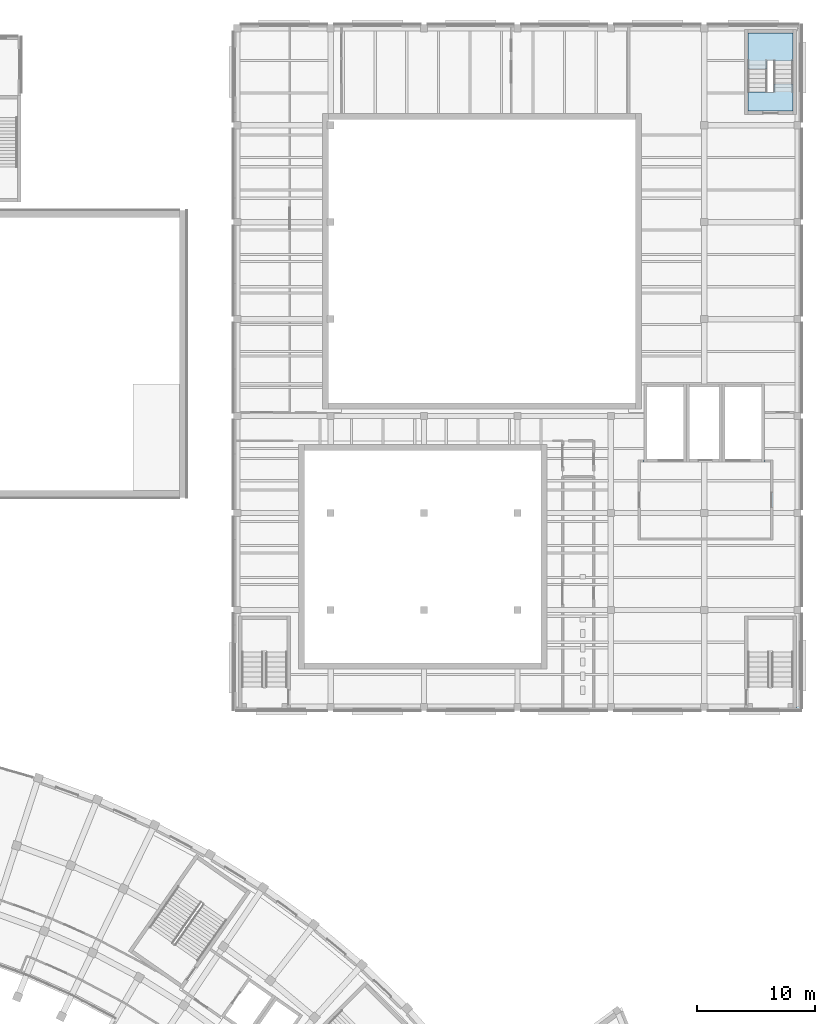
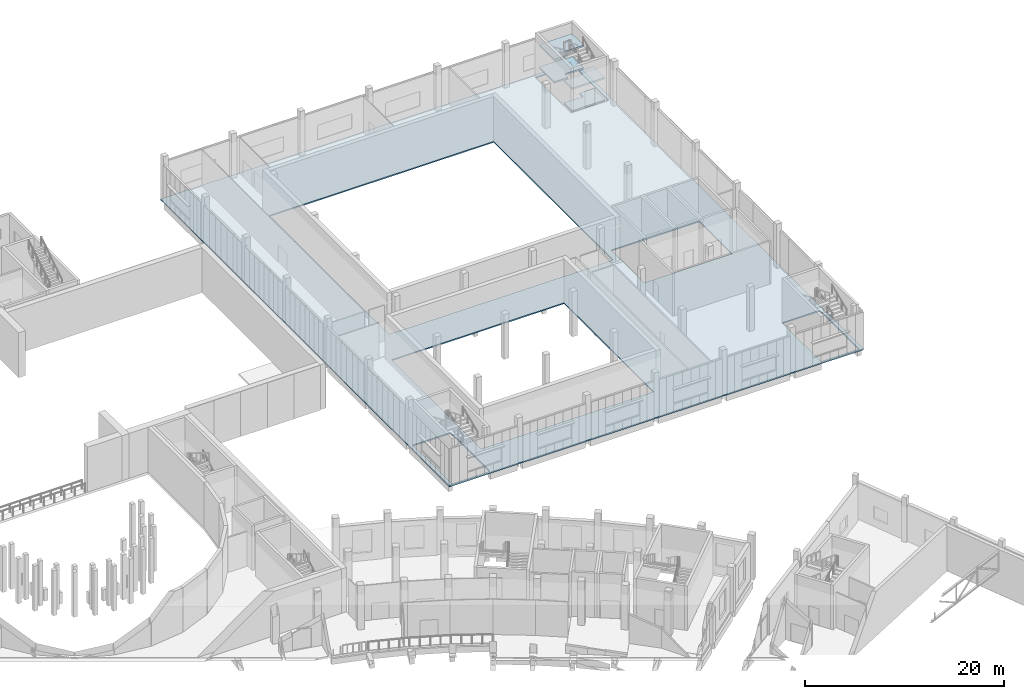
# One storey, part 52 of 112: 5 slabs, 1 element without a shape of its own.
"""IFC4 building model written with IfcOpenShell, lengths in metres."""

from ifc_helpers import new_model, si_unit, direction, frame, origin, place, context, subcontext, project, spatial, polyline, outline, extrude, material, layer, layer_set, type_object, element, aggregate, save


model = new_model("IFC4")

# Units and contexts
model_context = context("Model", 3, precision=1e-05, world=origin(), true_north=direction((0.0, 1.0)))
body_context = subcontext(model_context, "Body", "Model", "MODEL_VIEW")
ifc_project = project(units=[si_unit("LENGTHUNIT", "METRE"), si_unit("AREAUNIT", "SQUARE_METRE"), si_unit("VOLUMEUNIT", "CUBIC_METRE"), si_unit("PLANEANGLEUNIT", "RADIAN"), si_unit("MASSUNIT", "GRAM", prefix="KILO")], contexts=[model_context])

# Site, building, storey
site_placement = place(None, origin())
site = spatial("IfcSite", under=ifc_project, at=site_placement, CompositionType="ELEMENT")
building_placement = place(site_placement, origin())
building = spatial("IfcBuilding", under=site, at=building_placement, Name="Lunette Opera House", CompositionType="ELEMENT")
storey_placement = place(building_placement, frame((0.0, 0.0, 6.0)))
storey = spatial("IfcBuildingStorey", under=building, at=storey_placement, Name="L01", CompositionType="ELEMENT", Elevation=6.0)

# Slabs
ifc_material_1 = material(Name="Concrete C35/45", Category="concrete")
ifc_layer_1 = layer(ifc_material_1, 0.199951171875)
ifc_layer_set_1 = layer_set([ifc_layer_1], Name="Concrete C35/45")
slab_type_1 = type_object("IfcSlabType", Name="CORE LANDING SLAB 200", PredefinedType="LANDING", material=ifc_layer_set_1)
slab_1_placement = place(storey_placement, frame((0.0, 0.0, -0.199951171875)))
element("IfcSlab", 1, at=slab_1_placement, inside=storey, type_object=slab_type_1, Name="ST19 floor landing", PredefinedType="LANDING", context=body_context, shape_type="SweptSolid", body=[
    extrude(outline(polyline([(179.5, 128.699951171875), (179.5, 130.31005859375), (181.10009765625, 130.31005859375), (181.10009765625, 130.300048828125), (181.699951171875, 130.300048828125), (181.699951171875, 131.0), (183.300048828125, 131.0), (183.300048828125, 128.699951171875), (179.5, 128.699951171875)])), origin(), (0.0, 0.0, 1.0), 0.199951171875),
])
ifc_material_2 = material(Name="Concrete C35/45", Category="concrete")
ifc_layer_2 = layer(ifc_material_2, 0.14990234375)
ifc_layer_set_2 = layer_set([ifc_layer_2], Name="Concrete C35/45")
slab_type_2 = type_object("IfcSlabType", Name="FLOOR SLAB 150", PredefinedType="FLOOR", material=ifc_layer_set_2)
slab_2_placement = place(storey_placement, frame((0.0, 0.0, -0.14990234375)))
element("IfcSlab", 2, at=slab_2_placement, inside=storey, type_object=slab_type_2, Name="slab-WW-L01-F1", PredefinedType="FLOOR", context=body_context, shape_type="SweptSolid", body=[
    extrude(outline(polyline([(136.0, 136.0), (136.0, 78.0), (184.0, 78.0), (184.0, 136.0), (136.0, 136.0)]), holes=[polyline([(162.0, 100.0), (162.0, 82.0), (142.0, 82.0), (142.0, 100.0), (162.0, 100.0)]), polyline([(170.0, 128.0), (170.0, 104.0), (144.0, 104.0), (144.0, 128.0), (170.0, 128.0)]), polyline([(136.39990234375, 78.199951171875), (136.39990234375, 86.0), (140.800048828125, 86.0), (140.800048828125, 78.199951171875), (136.39990234375, 78.199951171875)]), polyline([(179.199951171875, 86.0), (183.60009765625, 86.0), (183.60009765625, 78.199951171875), (179.199951171875, 78.199951171875), (179.199951171875, 86.0)]), polyline([(170.699951171875, 105.60009765625), (174.300048828125, 105.60009765625), (177.300048828125, 105.60009765625), (180.89990234375, 105.60009765625), (180.89990234375, 99.0), (177.300048828125, 99.0), (174.300048828125, 99.0), (170.699951171875, 99.0), (170.699951171875, 105.60009765625)]), polyline([(179.199951171875, 135.60009765625), (183.60009765625, 135.60009765625), (183.60009765625, 128.39990234375), (179.199951171875, 128.39990234375), (179.199951171875, 135.60009765625)])]), origin(), (0.0, 0.0, 1.0), 0.14990234375),
])

# Stair, slabs
ifc_material_3 = material(Name="Concrete C35/45", Category="concrete")
stair_type = type_object("IfcStairType", Name="DOGLEG STAIR 1600", PredefinedType="HALF_TURN_STAIR", material=ifc_material_3)
stair_placement = place(storey_placement, origin())
stair = element("IfcStair", 3, at=stair_placement, inside=storey, type_object=stair_type, Name="L01 stair ST19", PredefinedType="HALF_TURN_STAIR")
ifc_material_4 = material(Name="Concrete C35/45", Category="concrete")
ifc_layer_3 = layer(ifc_material_4, 0.199951171875)
ifc_layer_set_3 = layer_set([ifc_layer_3], Name="Concrete C35/45")
slab_type_3 = type_object("IfcSlabType", Name="STAIR LANDING SLAB 200", PredefinedType="LANDING", material=ifc_layer_set_3)
slab_3_placement = place(storey_placement, frame((0.0, 0.0, 1.175048828125)))
slab_3 = element("IfcSlab", 4, at=slab_3_placement, type_object=slab_type_3, Name="ST19 landing 1", PredefinedType="LANDING", context=body_context, shape_type="SweptSolid", body=[
    extrude(outline(polyline([(183.300048828125, 132.949951171875), (181.699951171875, 132.949951171875), (181.699951171875, 132.9599609375), (181.10009765625, 132.9599609375), (181.10009765625, 132.260009765625), (179.5, 132.260009765625), (179.5, 135.300048828125), (183.300048828125, 135.300048828125), (183.300048828125, 132.949951171875)])), origin(), (0.0, 0.0, 1.0), 0.199951171875),
])
slab_4_placement = place(storey_placement, frame((0.0, 0.0, 2.550048828125)))
slab_4 = element("IfcSlab", 5, at=slab_4_placement, type_object=slab_type_3, Name="ST19 landing 2", PredefinedType="LANDING", context=body_context, shape_type="SweptSolid", body=[
    extrude(outline(polyline([(179.5, 128.699951171875), (179.5, 130.31005859375), (181.10009765625, 130.31005859375), (181.10009765625, 130.300048828125), (181.699951171875, 130.300048828125), (181.699951171875, 131.0), (183.300048828125, 131.0), (183.300048828125, 128.699951171875), (179.5, 128.699951171875)])), origin(), (0.0, 0.0, 1.0), 0.199951171875),
])
slab_5_placement = place(storey_placement, frame((0.0, 0.0, 3.925048828125)))
slab_5 = element("IfcSlab", 6, at=slab_5_placement, type_object=slab_type_3, Name="ST19 landing 3", PredefinedType="LANDING", context=body_context, shape_type="SweptSolid", body=[
    extrude(outline(polyline([(183.300048828125, 132.949951171875), (181.699951171875, 132.949951171875), (181.699951171875, 132.9599609375), (181.10009765625, 132.9599609375), (181.10009765625, 132.260009765625), (179.5, 132.260009765625), (179.5, 135.300048828125), (183.300048828125, 135.300048828125), (183.300048828125, 132.949951171875)])), origin(), (0.0, 0.0, 1.0), 0.199951171875),
])
aggregate(stair, [slab_3, slab_4, slab_5])

save(model, "model.ifc")
